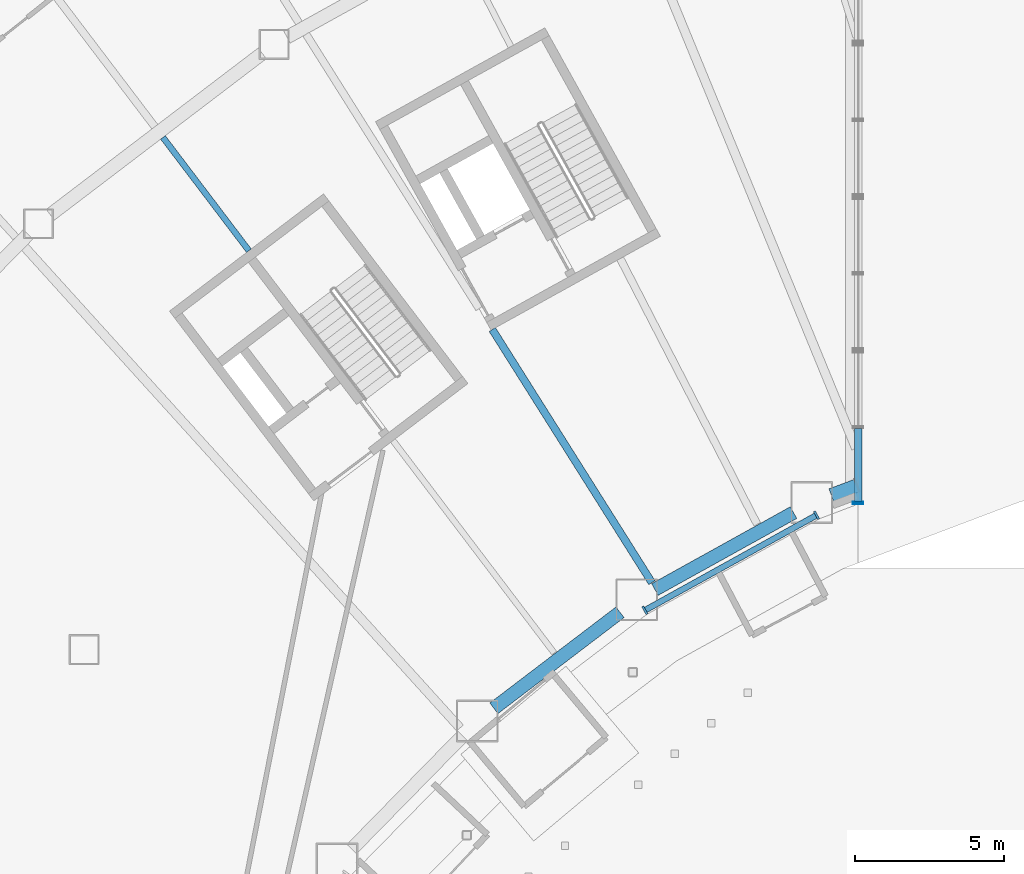
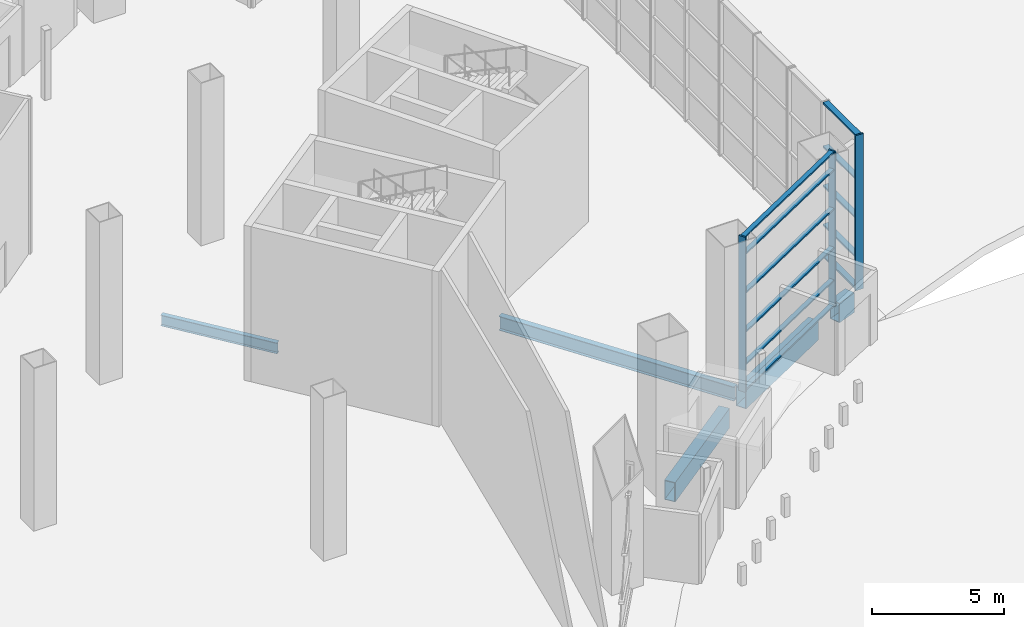
# One storey, part 12 of 45: 14 members, 5 beams, 2 elements without a shape of their own.
"""IFC4 building model written with IfcOpenShell, lengths in metres."""

from ifc_helpers import new_model, si_unit, direction, frame, origin, origin_2d, place, context, subcontext, project, spatial, rectangle, hollow_rectangle, i_section, extrude, material, layer, layer_set, material_profile, profile_set, type_object, element, aggregate, save


model = new_model("IFC4")

# Units and contexts
model_context = context("Model", 3, precision=1e-05, world=origin(), true_north=direction((0.0, 1.0)))
body_context = subcontext(model_context, "Body", "Model", "MODEL_VIEW")
ifc_project = project(units=[si_unit("LENGTHUNIT", "METRE"), si_unit("AREAUNIT", "SQUARE_METRE"), si_unit("VOLUMEUNIT", "CUBIC_METRE"), si_unit("PLANEANGLEUNIT", "RADIAN"), si_unit("MASSUNIT", "GRAM", prefix="KILO")], contexts=[model_context])

# Site, building, storey
site_placement = place(None, origin())
site = spatial("IfcSite", under=ifc_project, at=site_placement, CompositionType="ELEMENT")
building_placement = place(site_placement, origin())
building = spatial("IfcBuilding", under=site, at=building_placement, Name="Tuul Gate Civic Tower", CompositionType="ELEMENT")
storey_placement = place(building_placement, origin())
storey = spatial("IfcBuildingStorey", under=building, at=storey_placement, Name="Level 00", CompositionType="ELEMENT", Elevation=0.0)

# Curtain wall, members
ifc_material_1 = material(Name="Aluminium", Category="aluminium")
ifc_layer_1 = layer(ifc_material_1, 0.199951171875)
ifc_layer_set_1 = layer_set([ifc_layer_1], Name="Aluminium")
curtain_wall_type_1 = type_object("IfcCurtainWallType", Name="Curtain wall CW1", PredefinedType="NOTDEFINED", material=ifc_layer_set_1)
curtain_wall_1_placement = place(storey_placement, origin())
curtain_wall_1 = element("IfcCurtainWall", 1, at=curtain_wall_1_placement, inside=storey, type_object=curtain_wall_type_1, Name="Curtain wall CW1", PredefinedType="NOTDEFINED")
ifc_material_2 = material(Name="Aluminium", Category="aluminium")
ifc_material_profile_1 = material_profile(ifc_material_2, rectangle(XDim=0.300048828125, YDim=0.070068359375, at=origin_2d()), Name="CW1 mullion")
ifc_profile_set_1 = profile_set([ifc_material_profile_1], Name="Aluminium")
member_type_1 = type_object("IfcMemberType", Name="CW1 mullion", PredefinedType="MULLION", material=ifc_profile_set_1)
member_1_placement = place(storey_placement, frame((-25.160400390625, -21.403076171875, 0.0), z_axis=(0.0, 0.0, 1.0), x_axis=(-0.484724404523, 0.87466693756, 0.0)))
member_1 = element("IfcMember", 2, at=member_1_placement, type_object=member_type_1, Name="Mullion", PredefinedType="MULLION", context=body_context, shape_type="SweptSolid", body=[
    extrude(rectangle(XDim=0.300048828125, YDim=0.070068359375, at=origin_2d()), origin(), (0.0, 0.0, 1.0), 7.14990234375),
])
member_2_placement = place(storey_placement, frame((-19.398681640625, -18.2099609375, 0.0), z_axis=(0.0, 0.0, 1.0), x_axis=(-0.484724404523, 0.87466693756, 0.0)))
member_2 = element("IfcMember", 3, at=member_2_placement, type_object=member_type_1, Name="Mullion", PredefinedType="MULLION", context=body_context, shape_type="SweptSolid", body=[
    extrude(rectangle(XDim=0.300048828125, YDim=0.070068359375, at=origin_2d()), origin(), (0.0, 0.0, 1.0), 7.14990234375),
])
ifc_material_3 = material(Name="Aluminium", Category="aluminium")
ifc_material_profile_2 = material_profile(ifc_material_3, rectangle(XDim=0.199951171875, YDim=0.070068359375, at=origin_2d()), Name="CW1 transom")
ifc_profile_set_2 = profile_set([ifc_material_profile_2], Name="Aluminium")
member_type_2 = type_object("IfcMemberType", Name="CW1 transom", PredefinedType="USERDEFINED", material=ifc_profile_set_2)
member_3_placement = place(storey_placement, frame((-25.1298828125, -21.385986328125, 0.034912109375), z_axis=(0.874685082626, 0.484691660989, 0.0), x_axis=(-0.484691660989, 0.874685082626, 0.0)))
member_3 = element("IfcMember", 4, at=member_3_placement, type_object=member_type_2, Name="Transom", ObjectType="TRANSOM", PredefinedType="USERDEFINED", context=body_context, shape_type="SweptSolid", body=[
    extrude(rectangle(XDim=0.199951171875, YDim=0.070068359375, at=origin_2d()), origin(), (0.0, 0.0, 1.0), 6.517333984375),
])
member_4_placement = place(storey_placement, frame((-25.1298828125, -21.385986328125, 1.199951171875), z_axis=(0.874685082626, 0.484691660989, 0.0), x_axis=(-0.484691660989, 0.874685082626, 0.0)))
member_4 = element("IfcMember", 5, at=member_4_placement, type_object=member_type_2, Name="Transom", ObjectType="TRANSOM", PredefinedType="USERDEFINED", context=body_context, shape_type="SweptSolid", body=[
    extrude(rectangle(XDim=0.199951171875, YDim=0.070068359375, at=origin_2d()), origin(), (0.0, 0.0, 1.0), 6.517333984375),
])
member_5_placement = place(storey_placement, frame((-25.1298828125, -21.385986328125, 2.699951171875), z_axis=(0.874685082626, 0.484691660989, 0.0), x_axis=(-0.484691660989, 0.874685082626, 0.0)))
member_5 = element("IfcMember", 6, at=member_5_placement, type_object=member_type_2, Name="Transom", ObjectType="TRANSOM", PredefinedType="USERDEFINED", context=body_context, shape_type="SweptSolid", body=[
    extrude(rectangle(XDim=0.199951171875, YDim=0.070068359375, at=origin_2d()), origin(), (0.0, 0.0, 1.0), 6.517333984375),
])
member_6_placement = place(storey_placement, frame((-25.1298828125, -21.385986328125, 4.5), z_axis=(0.874685082626, 0.484691660989, 0.0), x_axis=(-0.484691660989, 0.874685082626, 0.0)))
member_6 = element("IfcMember", 7, at=member_6_placement, type_object=member_type_2, Name="Transom", ObjectType="TRANSOM", PredefinedType="USERDEFINED", context=body_context, shape_type="SweptSolid", body=[
    extrude(rectangle(XDim=0.199951171875, YDim=0.070068359375, at=origin_2d()), origin(), (0.0, 0.0, 1.0), 6.517333984375),
])
member_7_placement = place(storey_placement, frame((-25.1298828125, -21.385986328125, 6.300048828125), z_axis=(0.874685082626, 0.484691660989, 0.0), x_axis=(-0.484691660989, 0.874685082626, 0.0)))
member_7 = element("IfcMember", 8, at=member_7_placement, type_object=member_type_2, Name="Transom", ObjectType="TRANSOM", PredefinedType="USERDEFINED", context=body_context, shape_type="SweptSolid", body=[
    extrude(rectangle(XDim=0.199951171875, YDim=0.070068359375, at=origin_2d()), origin(), (0.0, 0.0, 1.0), 6.517333984375),
])
member_8_placement = place(storey_placement, frame((-25.1298828125, -21.385986328125, 7.114990234375), z_axis=(0.874685082626, 0.484691660989, 0.0), x_axis=(-0.484691660989, 0.874685082626, 0.0)))
member_8 = element("IfcMember", 9, at=member_8_placement, type_object=member_type_2, Name="Transom", ObjectType="TRANSOM", PredefinedType="USERDEFINED", context=body_context, shape_type="SweptSolid", body=[
    extrude(rectangle(XDim=0.199951171875, YDim=0.070068359375, at=origin_2d()), origin(), (0.0, 0.0, 1.0), 6.517333984375),
])
aggregate(curtain_wall_1, [member_1, member_2, member_3, member_4, member_5, member_6, member_7, member_8])

ifc_material_4 = material(Name="Stainless steel", Category="steel")
ifc_layer_2 = layer(ifc_material_4, 0.199951171875)
ifc_layer_set_2 = layer_set([ifc_layer_2], Name="Stainless steel")
curtain_wall_type_2 = type_object("IfcCurtainWallType", Name="Curtain wall CW2", PredefinedType="NOTDEFINED", material=ifc_layer_set_2)
curtain_wall_2_placement = place(storey_placement, origin())
curtain_wall_2 = element("IfcCurtainWall", 10, at=curtain_wall_2_placement, inside=storey, type_object=curtain_wall_type_2, Name="Curtain wall CW2", PredefinedType="NOTDEFINED")
ifc_material_5 = material(Name="Stainless steel", Category="steel")
ifc_material_profile_3 = material_profile(ifc_material_5, hollow_rectangle(XDim=0.35009765625, YDim=0.080078125, WallThickness=0.006103515625, at=origin_2d()), Name="CW2 mullion")
ifc_profile_set_3 = profile_set([ifc_material_profile_3], Name="Stainless steel")
member_type_3 = type_object("IfcMemberType", Name="CW2 mullion", PredefinedType="MULLION", material=ifc_profile_set_3)
member_9_placement = place(storey_placement, frame((-18.0, -17.7958984375, 0.0), z_axis=(0.0, 0.0, 1.0), x_axis=(-1.0, 0.0, 0.0)))
member_9 = element("IfcMember", 11, at=member_9_placement, type_object=member_type_3, Name="Mullion", PredefinedType="MULLION", context=body_context, shape_type="SweptSolid", body=[
    extrude(hollow_rectangle(XDim=0.35009765625, YDim=0.080078125, WallThickness=0.006103515625, at=origin_2d()), origin(), (0.0, 0.0, 1.0), 7.14990234375),
])
ifc_material_6 = material(Name="Stainless steel", Category="steel")
ifc_material_profile_4 = material_profile(ifc_material_6, hollow_rectangle(XDim=0.25, YDim=0.080078125, WallThickness=0.006103515625, at=origin_2d()), Name="CW2 transom")
ifc_profile_set_4 = profile_set([ifc_material_profile_4], Name="Stainless steel")
member_type_4 = type_object("IfcMemberType", Name="CW2 transom", PredefinedType="USERDEFINED", material=ifc_profile_set_4)
member_10_placement = place(storey_placement, frame((-18.0, -17.756103515625, 0.0400390625), z_axis=(0.0, 1.0, 0.0), x_axis=(-1.0, 0.0, 0.0)))
member_10 = element("IfcMember", 12, at=member_10_placement, type_object=member_type_4, Name="Transom", ObjectType="TRANSOM", PredefinedType="USERDEFINED", context=body_context, shape_type="SweptSolid", body=[
    extrude(hollow_rectangle(XDim=0.25, YDim=0.080078125, WallThickness=0.006103515625, at=origin_2d()), origin(), (0.0, 0.0, 1.0), 2.458740234375),
])
member_11_placement = place(storey_placement, frame((-18.0, -17.756103515625, 1.5), z_axis=(0.0, 1.0, 0.0), x_axis=(-1.0, 0.0, 0.0)))
member_11 = element("IfcMember", 13, at=member_11_placement, type_object=member_type_4, Name="Transom", ObjectType="TRANSOM", PredefinedType="USERDEFINED", context=body_context, shape_type="SweptSolid", body=[
    extrude(hollow_rectangle(XDim=0.25, YDim=0.080078125, WallThickness=0.006103515625, at=origin_2d()), origin(), (0.0, 0.0, 1.0), 2.458740234375),
])
member_12_placement = place(storey_placement, frame((-18.0, -17.756103515625, 3.300048828125), z_axis=(0.0, 1.0, 0.0), x_axis=(-1.0, 0.0, 0.0)))
member_12 = element("IfcMember", 14, at=member_12_placement, type_object=member_type_4, Name="Transom", ObjectType="TRANSOM", PredefinedType="USERDEFINED", context=body_context, shape_type="SweptSolid", body=[
    extrude(hollow_rectangle(XDim=0.25, YDim=0.080078125, WallThickness=0.006103515625, at=origin_2d()), origin(), (0.0, 0.0, 1.0), 2.458740234375),
])
member_13_placement = place(storey_placement, frame((-18.0, -17.756103515625, 5.10009765625), z_axis=(0.0, 1.0, 0.0), x_axis=(-1.0, 0.0, 0.0)))
member_13 = element("IfcMember", 15, at=member_13_placement, type_object=member_type_4, Name="Transom", ObjectType="TRANSOM", PredefinedType="USERDEFINED", context=body_context, shape_type="SweptSolid", body=[
    extrude(hollow_rectangle(XDim=0.25, YDim=0.080078125, WallThickness=0.006103515625, at=origin_2d()), origin(), (0.0, 0.0, 1.0), 2.458740234375),
])
member_14_placement = place(storey_placement, frame((-18.0, -17.756103515625, 7.110107421875), z_axis=(0.0, 1.0, 0.0), x_axis=(-1.0, 0.0, 0.0)))
member_14 = element("IfcMember", 16, at=member_14_placement, type_object=member_type_4, Name="Transom", ObjectType="TRANSOM", PredefinedType="USERDEFINED", context=body_context, shape_type="SweptSolid", body=[
    extrude(hollow_rectangle(XDim=0.25, YDim=0.080078125, WallThickness=0.006103515625, at=origin_2d()), origin(), (0.0, 0.0, 1.0), 2.458740234375),
])
aggregate(curtain_wall_2, [member_9, member_10, member_11, member_12, member_13, member_14])

# Beams
ifc_material_7 = material(Name="Steel S355", Category="steel")
ifc_material_profile_5 = material_profile(ifc_material_7, i_section(OverallWidth=0.199951171875, OverallDepth=0.5, WebThickness=0.010009765625, FlangeThickness=0.01611328125, at=origin_2d()), Name="PG500x200x10x16")
ifc_profile_set_5 = profile_set([ifc_material_profile_5], Name="Steel S355")
beam_type_1 = type_object("IfcBeamType", Name="STR-FLOOR BEAM-PG500x200x10x16", PredefinedType="BEAM", material=ifc_profile_set_5)
beam_1_placement = place(storey_placement, frame((-38.45068359375, -9.3310546875, -0.64990234375), z_axis=(-0.604539816506, 0.796574924448, 0.0), x_axis=(-0.796574924448, -0.604539816506, 0.0)))
element("IfcBeam", 17, at=beam_1_placement, inside=storey, type_object=beam_type_1, Name="Floor beam", PredefinedType="BEAM", context=body_context, shape_type="SweptSolid", body=[
    extrude(i_section(OverallWidth=0.199951171875, OverallDepth=0.5, WebThickness=0.010009765625, FlangeThickness=0.01611328125, at=origin_2d()), origin(), (0.0, 0.0, 1.0), 4.77392578125),
])
ifc_material_8 = material(Name="Steel S355", Category="steel")
ifc_material_profile_6 = material_profile(ifc_material_8, i_section(OverallWidth=0.25, OverallDepth=0.64990234375, WebThickness=0.011962890625, FlangeThickness=0.02001953125, at=origin_2d()), Name="PG650x250x12x20")
ifc_profile_set_6 = profile_set([ifc_material_profile_6], Name="Steel S355")
beam_type_2 = type_object("IfcBeamType", Name="STR-FLOOR BEAM-PG650x250x12x20", PredefinedType="BEAM", material=ifc_profile_set_6)
beam_2_placement = place(storey_placement, frame((-24.9248046875, -20.47265625, -0.72509765625), z_axis=(-0.53338296173, 0.845873877204, 0.0), x_axis=(-0.845873877204, -0.53338296173, 0.0)))
element("IfcBeam", 18, at=beam_2_placement, inside=storey, type_object=beam_type_2, Name="Floor beam", PredefinedType="BEAM", context=body_context, shape_type="SweptSolid", body=[
    extrude(i_section(OverallWidth=0.25, OverallDepth=0.64990234375, WebThickness=0.011962890625, FlangeThickness=0.02001953125, at=origin_2d()), origin(), (0.0, 0.0, 1.0), 10.045654296875),
])
ifc_material_9 = material(Name="Steel S355", Category="steel")
ifc_material_profile_7 = material_profile(ifc_material_9, hollow_rectangle(XDim=0.449951171875, YDim=0.89990234375, WallThickness=0.02490234375, at=origin_2d()), Name="BOX900x450x25")
ifc_profile_set_7 = profile_set([ifc_material_profile_7], Name="Steel S355")
beam_type_3 = type_object("IfcBeamType", Name="STR-SPANDREL BEAM-BOX900x450x25", PredefinedType="BEAM", material=ifc_profile_set_7)
beam_3_placement = place(storey_placement, frame((-30.22900390625, -24.69091796875, -0.85009765625), z_axis=(0.795624397763, 0.605790242315, 0.0), x_axis=(-0.605790242315, 0.795624397763, 0.0)))
element("IfcBeam", 19, at=beam_3_placement, inside=storey, type_object=beam_type_3, Name="Spandrel beam", PredefinedType="BEAM", context=body_context, shape_type="SweptSolid", body=[
    extrude(hollow_rectangle(XDim=0.449951171875, YDim=0.89990234375, WallThickness=0.02490234375, at=origin_2d()), origin(), (0.0, 0.0, 1.0), 5.32177734375),
])
beam_4_placement = place(storey_placement, frame((-24.82568359375, -20.70361328125, -0.85009765625), z_axis=(0.87456368019, 0.484910681769, 0.0), x_axis=(-0.484910681769, 0.87456368019, 0.0)))
element("IfcBeam", 20, at=beam_4_placement, inside=storey, type_object=beam_type_3, Name="Spandrel beam", PredefinedType="BEAM", context=body_context, shape_type="SweptSolid", body=[
    extrude(hollow_rectangle(XDim=0.449951171875, YDim=0.89990234375, WallThickness=0.02490234375, at=origin_2d()), origin(), (0.0, 0.0, 1.0), 5.3232421875),
])
beam_5_placement = place(storey_placement, frame((-18.9033203125, -17.535400390625, -0.85009765625), z_axis=(0.935413092715, 0.353556708291, 0.0), x_axis=(-0.353556708291, 0.935413092715, 0.0)))
element("IfcBeam", 21, at=beam_5_placement, inside=storey, type_object=beam_type_3, Name="Spandrel beam", PredefinedType="BEAM", context=body_context, shape_type="SweptSolid", body=[
    extrude(hollow_rectangle(XDim=0.449951171875, YDim=0.89990234375, WallThickness=0.02490234375, at=origin_2d()), origin(), (0.0, 0.0, 1.0), 0.912109375),
])

save(model, "model.ifc")
